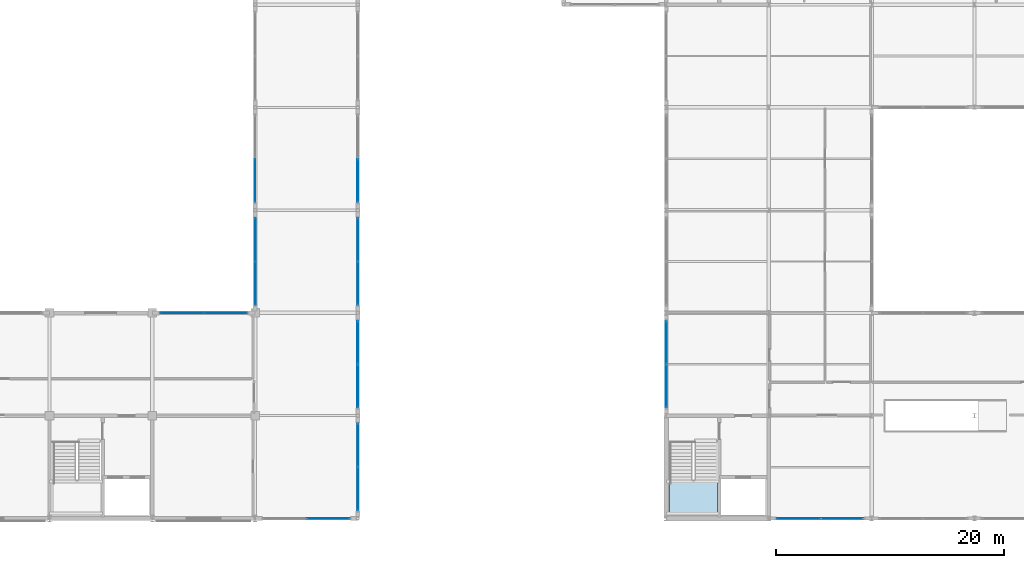
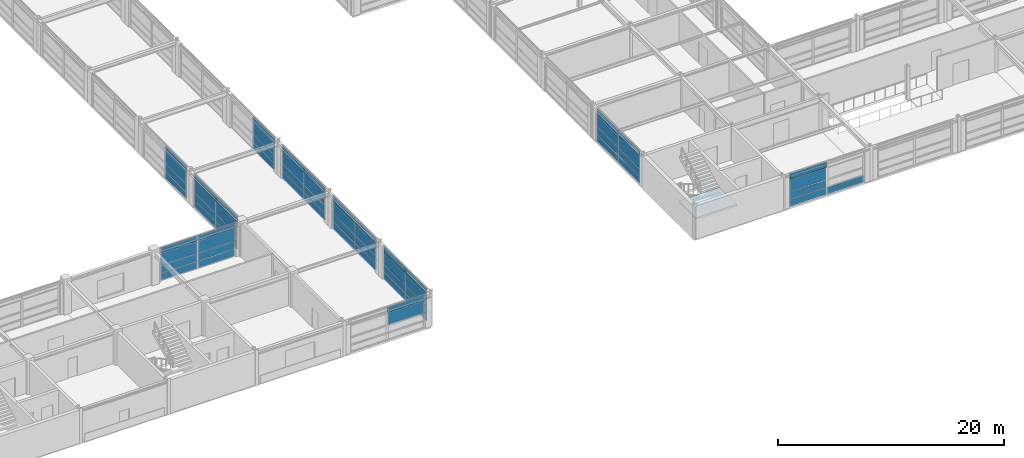
# One storey, part 51 of 79: 63 plates, 1 slab, 10 elements without a shape of their own.
"""IFC4 building model written with IfcOpenShell, lengths in metres."""

from ifc_helpers import new_model, si_unit, direction, frame, origin, origin_2d, place, context, subcontext, project, spatial, polyline, rectangle, outline, extrude, material, layer, layer_set, type_object, element, aggregate, save


model = new_model("IFC4")

# Units and contexts
model_context = context("Model", 3, precision=1e-05, world=origin(), true_north=direction((0.0, 1.0)))
body_context = subcontext(model_context, "Body", "Model", "MODEL_VIEW")
ifc_project = project(units=[si_unit("LENGTHUNIT", "METRE"), si_unit("AREAUNIT", "SQUARE_METRE"), si_unit("VOLUMEUNIT", "CUBIC_METRE"), si_unit("PLANEANGLEUNIT", "RADIAN"), si_unit("MASSUNIT", "GRAM", prefix="KILO")], contexts=[model_context])

# Site, building, storey
site_placement = place(None, origin())
site = spatial("IfcSite", under=ifc_project, at=site_placement, CompositionType="ELEMENT")
building_placement = place(site_placement, origin())
building = spatial("IfcBuilding", under=site, at=building_placement, Name="Palais des Congres Ocreval", CompositionType="ELEMENT")
storey_placement = place(building_placement, frame((0.0, 0.0, 4.320068359375)))
storey = spatial("IfcBuildingStorey", under=building, at=storey_placement, Name="L01", CompositionType="ELEMENT", Elevation=4.320068359375)

# Curtain wall, plates
ifc_material_1 = material(Name="Anodized bronze aluminium and low-E glass", Category="glass")
curtain_wall_type = type_object("IfcCurtainWallType", Name="Unitised Curtain Wall 7900x3660", PredefinedType="USERDEFINED", material=ifc_material_1)
curtain_wall_1_placement = place(storey_placement, origin())
curtain_wall_1 = element("IfcCurtainWall", 1, at=curtain_wall_1_placement, inside=storey, type_object=curtain_wall_type, Name="Unitised Curtain Wall CW02 L01", ObjectType="UNITISED CURTAIN WALL", PredefinedType="USERDEFINED")
ifc_material_2 = material(Name="Acoustic triple glazing", Category="glass")
ifc_layer_1 = layer(ifc_material_2, 0.0439453125)
ifc_layer_set_1 = layer_set([ifc_layer_1], Name="Acoustic Laminated Glazing Panel 44 (Acoustic triple glazing)")
plate_type_1 = type_object("IfcPlateType", Name="Acoustic Laminated Glazing Panel 44", PredefinedType="CURTAIN_PANEL", material=ifc_layer_set_1)
plate_1_placement = place(storey_placement, frame((123.40625, 0.0, 0.06005859375), z_axis=(0.0, 0.0, 1.0), x_axis=(-1.0, 0.0, 0.0)))
plate_1 = element("IfcPlate", 2, at=plate_1_placement, type_object=plate_type_1, Name="Vision Glazing Panel VP02", PredefinedType="CURTAIN_PANEL", context=body_context, shape_type="SweptSolid", body=[
    extrude(rectangle(XDim=3.737548828125, YDim=0.0439453125, at=origin_2d()), origin(), (0.0, 0.0, 1.0), 0.68994140625),
])
plate_2_placement = place(storey_placement, frame((119.59375, 0.0, 0.06005859375), z_axis=(0.0, 0.0, 1.0), x_axis=(-1.0, 0.0, 0.0)))
plate_2 = element("IfcPlate", 3, at=plate_2_placement, type_object=plate_type_1, Name="Vision Glazing Panel VP02", PredefinedType="CURTAIN_PANEL", context=body_context, shape_type="SweptSolid", body=[
    extrude(rectangle(XDim=3.737548828125, YDim=0.0439453125, at=origin_2d()), origin(), (0.0, 0.0, 1.0), 0.68994140625),
])
plate_3_placement = place(storey_placement, frame((119.59375, 0.0, 0.81005859375), z_axis=(0.0, 0.0, 1.0), x_axis=(-1.0, 0.0, 0.0)))
plate_3 = element("IfcPlate", 4, at=plate_3_placement, type_object=plate_type_1, Name="Vision Glazing Panel VP02", PredefinedType="CURTAIN_PANEL", context=body_context, shape_type="SweptSolid", body=[
    extrude(rectangle(XDim=3.737548828125, YDim=0.0439453125, at=origin_2d()), origin(), (0.0, 0.0, 1.0), 0.782470703125),
])
plate_4_placement = place(storey_placement, frame((119.59375, 0.0, 1.65234375), z_axis=(0.0, 0.0, 1.0), x_axis=(-1.0, 0.0, 0.0)))
plate_4 = element("IfcPlate", 5, at=plate_4_placement, type_object=plate_type_1, Name="Vision Glazing Panel VP02", PredefinedType="CURTAIN_PANEL", context=body_context, shape_type="SweptSolid", body=[
    extrude(rectangle(XDim=3.737548828125, YDim=0.0439453125, at=origin_2d()), origin(), (0.0, 0.0, 1.0), 1.267578125),
])

curtain_wall_2_placement = place(storey_placement, origin())
curtain_wall_2 = element("IfcCurtainWall", 6, at=curtain_wall_2_placement, inside=storey, type_object=curtain_wall_type, Name="Unitised Curtain Wall CW02 L01", ObjectType="UNITISED CURTAIN WALL", PredefinedType="USERDEFINED")
plate_5_placement = place(storey_placement, frame((81.0, 29.59375, 0.06005859375), z_axis=(0.0, 0.0, 1.0), x_axis=(0.0, -1.0, 0.0)))
plate_5 = element("IfcPlate", 7, at=plate_5_placement, type_object=plate_type_1, Name="Vision Glazing Panel VP02", PredefinedType="CURTAIN_PANEL", context=body_context, shape_type="SweptSolid", body=[
    extrude(rectangle(XDim=3.737548828125, YDim=0.0439453125, at=origin_2d()), origin(), (0.0, 0.0, 1.0), 0.68994140625),
])
plate_6_placement = place(storey_placement, frame((81.0, 29.59375, 0.81005859375), z_axis=(0.0, 0.0, 1.0), x_axis=(0.0, -1.0, 0.0)))
plate_6 = element("IfcPlate", 8, at=plate_6_placement, type_object=plate_type_1, Name="Vision Glazing Panel VP02", PredefinedType="CURTAIN_PANEL", context=body_context, shape_type="SweptSolid", body=[
    extrude(rectangle(XDim=3.737548828125, YDim=0.0439453125, at=origin_2d()), origin(), (0.0, 0.0, 1.0), 0.777099609375),
])
plate_7_placement = place(storey_placement, frame((81.0, 29.59375, 1.64697265625), z_axis=(0.0, 0.0, 1.0), x_axis=(0.0, -1.0, 0.0)))
plate_7 = element("IfcPlate", 9, at=plate_7_placement, type_object=plate_type_1, Name="Vision Glazing Panel VP02", PredefinedType="CURTAIN_PANEL", context=body_context, shape_type="SweptSolid", body=[
    extrude(rectangle(XDim=3.737548828125, YDim=0.0439453125, at=origin_2d()), origin(), (0.0, 0.0, 1.0), 1.262939453125),
])

curtain_wall_3_placement = place(storey_placement, origin())
curtain_wall_3 = element("IfcCurtainWall", 10, at=curtain_wall_3_placement, inside=storey, type_object=curtain_wall_type, Name="Unitised Curtain Wall CW02 L01", ObjectType="UNITISED CURTAIN WALL", PredefinedType="USERDEFINED")
plate_8_placement = place(storey_placement, frame((81.0, 6.40625, 0.06005859375), z_axis=(0.0, 0.0, 1.0), x_axis=(0.0, -1.0, 0.0)))
plate_8 = element("IfcPlate", 11, at=plate_8_placement, type_object=plate_type_1, Name="Vision Glazing Panel VP02", PredefinedType="CURTAIN_PANEL", context=body_context, shape_type="SweptSolid", body=[
    extrude(rectangle(XDim=3.737548828125, YDim=0.0439453125, at=origin_2d()), origin(), (0.0, 0.0, 1.0), 0.68994140625),
])
plate_9_placement = place(storey_placement, frame((81.0, 6.40625, 0.81005859375), z_axis=(0.0, 0.0, 1.0), x_axis=(0.0, -1.0, 0.0)))
plate_9 = element("IfcPlate", 12, at=plate_9_placement, type_object=plate_type_1, Name="Vision Glazing Panel VP02", PredefinedType="CURTAIN_PANEL", context=body_context, shape_type="SweptSolid", body=[
    extrude(rectangle(XDim=3.737548828125, YDim=0.0439453125, at=origin_2d()), origin(), (0.0, 0.0, 1.0), 0.777099609375),
])
plate_10_placement = place(storey_placement, frame((81.0, 6.40625, 1.64697265625), z_axis=(0.0, 0.0, 1.0), x_axis=(0.0, -1.0, 0.0)))
plate_10 = element("IfcPlate", 13, at=plate_10_placement, type_object=plate_type_1, Name="Vision Glazing Panel VP02", PredefinedType="CURTAIN_PANEL", context=body_context, shape_type="SweptSolid", body=[
    extrude(rectangle(XDim=3.737548828125, YDim=0.0439453125, at=origin_2d()), origin(), (0.0, 0.0, 1.0), 1.262939453125),
])
plate_11_placement = place(storey_placement, frame((81.0, 2.59375, 0.06005859375), z_axis=(0.0, 0.0, 1.0), x_axis=(0.0, -1.0, 0.0)))
plate_11 = element("IfcPlate", 14, at=plate_11_placement, type_object=plate_type_1, Name="Vision Glazing Panel VP02", PredefinedType="CURTAIN_PANEL", context=body_context, shape_type="SweptSolid", body=[
    extrude(rectangle(XDim=3.737548828125, YDim=0.0439453125, at=origin_2d()), origin(), (0.0, 0.0, 1.0), 0.68994140625),
])
plate_12_placement = place(storey_placement, frame((81.0, 2.59375, 0.81005859375), z_axis=(0.0, 0.0, 1.0), x_axis=(0.0, -1.0, 0.0)))
plate_12 = element("IfcPlate", 15, at=plate_12_placement, type_object=plate_type_1, Name="Vision Glazing Panel VP02", PredefinedType="CURTAIN_PANEL", context=body_context, shape_type="SweptSolid", body=[
    extrude(rectangle(XDim=3.737548828125, YDim=0.0439453125, at=origin_2d()), origin(), (0.0, 0.0, 1.0), 0.777099609375),
])
plate_13_placement = place(storey_placement, frame((81.0, 2.59375, 1.64697265625), z_axis=(0.0, 0.0, 1.0), x_axis=(0.0, -1.0, 0.0)))
plate_13 = element("IfcPlate", 16, at=plate_13_placement, type_object=plate_type_1, Name="Vision Glazing Panel VP02", PredefinedType="CURTAIN_PANEL", context=body_context, shape_type="SweptSolid", body=[
    extrude(rectangle(XDim=3.737548828125, YDim=0.0439453125, at=origin_2d()), origin(), (0.0, 0.0, 1.0), 1.262939453125),
])

curtain_wall_4_placement = place(storey_placement, origin())
curtain_wall_4 = element("IfcCurtainWall", 17, at=curtain_wall_4_placement, inside=storey, type_object=curtain_wall_type, Name="Unitised Curtain Wall CW02 L01", ObjectType="UNITISED CURTAIN WALL", PredefinedType="USERDEFINED")
plate_14_placement = place(storey_placement, frame((72.0, 20.59375, 0.06005859375), z_axis=(0.0, 0.0, 1.0), x_axis=(0.0, 1.0, 0.0)))
plate_14 = element("IfcPlate", 18, at=plate_14_placement, type_object=plate_type_1, Name="Vision Glazing Panel VP02", PredefinedType="CURTAIN_PANEL", context=body_context, shape_type="SweptSolid", body=[
    extrude(rectangle(XDim=3.737548828125, YDim=0.0439453125, at=origin_2d()), origin(), (0.0, 0.0, 1.0), 0.68994140625),
])
plate_15_placement = place(storey_placement, frame((72.0, 20.59375, 0.81005859375), z_axis=(0.0, 0.0, 1.0), x_axis=(0.0, 1.0, 0.0)))
plate_15 = element("IfcPlate", 19, at=plate_15_placement, type_object=plate_type_1, Name="Vision Glazing Panel VP02", PredefinedType="CURTAIN_PANEL", context=body_context, shape_type="SweptSolid", body=[
    extrude(rectangle(XDim=3.737548828125, YDim=0.0439453125, at=origin_2d()), origin(), (0.0, 0.0, 1.0), 0.777099609375),
])
plate_16_placement = place(storey_placement, frame((72.0, 20.59375, 1.64697265625), z_axis=(0.0, 0.0, 1.0), x_axis=(0.0, 1.0, 0.0)))
plate_16 = element("IfcPlate", 20, at=plate_16_placement, type_object=plate_type_1, Name="Vision Glazing Panel VP02", PredefinedType="CURTAIN_PANEL", context=body_context, shape_type="SweptSolid", body=[
    extrude(rectangle(XDim=3.737548828125, YDim=0.0439453125, at=origin_2d()), origin(), (0.0, 0.0, 1.0), 1.262939453125),
])
plate_17_placement = place(storey_placement, frame((72.0, 24.40625, 0.06005859375), z_axis=(0.0, 0.0, 1.0), x_axis=(0.0, 1.0, 0.0)))
plate_17 = element("IfcPlate", 21, at=plate_17_placement, type_object=plate_type_1, Name="Vision Glazing Panel VP02", PredefinedType="CURTAIN_PANEL", context=body_context, shape_type="SweptSolid", body=[
    extrude(rectangle(XDim=3.737548828125, YDim=0.0439453125, at=origin_2d()), origin(), (0.0, 0.0, 1.0), 0.68994140625),
])
plate_18_placement = place(storey_placement, frame((72.0, 24.40625, 0.81005859375), z_axis=(0.0, 0.0, 1.0), x_axis=(0.0, 1.0, 0.0)))
plate_18 = element("IfcPlate", 22, at=plate_18_placement, type_object=plate_type_1, Name="Vision Glazing Panel VP02", PredefinedType="CURTAIN_PANEL", context=body_context, shape_type="SweptSolid", body=[
    extrude(rectangle(XDim=3.737548828125, YDim=0.0439453125, at=origin_2d()), origin(), (0.0, 0.0, 1.0), 0.777099609375),
])
plate_19_placement = place(storey_placement, frame((72.0, 24.40625, 1.64697265625), z_axis=(0.0, 0.0, 1.0), x_axis=(0.0, 1.0, 0.0)))
plate_19 = element("IfcPlate", 23, at=plate_19_placement, type_object=plate_type_1, Name="Vision Glazing Panel VP02", PredefinedType="CURTAIN_PANEL", context=body_context, shape_type="SweptSolid", body=[
    extrude(rectangle(XDim=3.737548828125, YDim=0.0439453125, at=origin_2d()), origin(), (0.0, 0.0, 1.0), 1.262939453125),
])

curtain_wall_5_placement = place(storey_placement, origin())
curtain_wall_5 = element("IfcCurtainWall", 24, at=curtain_wall_5_placement, inside=storey, type_object=curtain_wall_type, Name="Unitised Curtain Wall CW02 L01", ObjectType="UNITISED CURTAIN WALL", PredefinedType="USERDEFINED")
ifc_material_3 = material(Name="Anodized bronze aluminium", Category="aluminium")
ifc_layer_2 = layer(ifc_material_3, 0.06005859375)
ifc_layer_set_2 = layer_set([ifc_layer_2], Name="Anodized Bronze Spandrel Cassette 60 (Anodized bronze aluminium)")
plate_type_2 = type_object("IfcPlateType", Name="Anodized Bronze Spandrel Cassette 60", PredefinedType="SHEET", material=ifc_layer_set_2)
plate_20_placement = place(storey_placement, frame((108.0, 11.59375, 2.97998046875), z_axis=(0.0, 0.0, 1.0), x_axis=(0.0, 1.0, 0.0)))
plate_20 = element("IfcPlate", 25, at=plate_20_placement, type_object=plate_type_2, Name="Spandrel Sheet SPN1", PredefinedType="SHEET", context=body_context, shape_type="SweptSolid", body=[
    extrude(rectangle(XDim=3.737548828125, YDim=0.06005859375, at=origin_2d()), origin(), (0.0, 0.0, 1.0), 0.56005859375),
])
plate_21_placement = place(storey_placement, frame((108.0, 15.40625, 2.97998046875), z_axis=(0.0, 0.0, 1.0), x_axis=(0.0, 1.0, 0.0)))
plate_21 = element("IfcPlate", 26, at=plate_21_placement, type_object=plate_type_2, Name="Spandrel Sheet SPN1", PredefinedType="SHEET", context=body_context, shape_type="SweptSolid", body=[
    extrude(rectangle(XDim=3.737548828125, YDim=0.06005859375, at=origin_2d()), origin(), (0.0, 0.0, 1.0), 0.56005859375),
])

# Plate
plate_22_placement = place(storey_placement, frame((81.0, 29.59375, 2.969970703125), z_axis=(0.0, 0.0, 1.0), x_axis=(0.0, -1.0, 0.0)))
plate_22 = element("IfcPlate", 27, at=plate_22_placement, type_object=plate_type_2, Name="Spandrel Sheet SPN1", PredefinedType="SHEET", context=body_context, shape_type="SweptSolid", body=[
    extrude(rectangle(XDim=3.737548828125, YDim=0.06005859375, at=origin_2d()), origin(), (0.0, 0.0, 1.0), 0.56005859375),
])

aggregate(curtain_wall_2, [plate_5, plate_6, plate_7, plate_22])

# Curtain wall, plates
curtain_wall_6_placement = place(storey_placement, origin())
curtain_wall_6 = element("IfcCurtainWall", 28, at=curtain_wall_6_placement, inside=storey, type_object=curtain_wall_type, Name="Unitised Curtain Wall CW02 L01", ObjectType="UNITISED CURTAIN WALL", PredefinedType="USERDEFINED")
plate_23_placement = place(storey_placement, frame((81.0, 15.40625, 2.969970703125), z_axis=(0.0, 0.0, 1.0), x_axis=(0.0, -1.0, 0.0)))
plate_23 = element("IfcPlate", 29, at=plate_23_placement, type_object=plate_type_2, Name="Spandrel Sheet SPN1", PredefinedType="SHEET", context=body_context, shape_type="SweptSolid", body=[
    extrude(rectangle(XDim=3.737548828125, YDim=0.06005859375, at=origin_2d()), origin(), (0.0, 0.0, 1.0), 0.56005859375),
])
plate_24_placement = place(storey_placement, frame((81.0, 11.59375, 2.969970703125), z_axis=(0.0, 0.0, 1.0), x_axis=(0.0, -1.0, 0.0)))
plate_24 = element("IfcPlate", 30, at=plate_24_placement, type_object=plate_type_2, Name="Spandrel Sheet SPN1", PredefinedType="SHEET", context=body_context, shape_type="SweptSolid", body=[
    extrude(rectangle(XDim=3.737548828125, YDim=0.06005859375, at=origin_2d()), origin(), (0.0, 0.0, 1.0), 0.56005859375),
])

# Curtain wall, plate
curtain_wall_7_placement = place(storey_placement, origin())
curtain_wall_7 = element("IfcCurtainWall", 31, at=curtain_wall_7_placement, inside=storey, type_object=curtain_wall_type, Name="Unitised Curtain Wall CW02 L01", ObjectType="UNITISED CURTAIN WALL", PredefinedType="USERDEFINED")
plate_25_placement = place(storey_placement, frame((78.40625, 0.0, 2.969970703125), z_axis=(0.0, 0.0, 1.0), x_axis=(-1.0, 0.0, 0.0)))
plate_25 = element("IfcPlate", 32, at=plate_25_placement, type_object=plate_type_2, Name="Spandrel Sheet SPN1", PredefinedType="SHEET", context=body_context, shape_type="SweptSolid", body=[
    extrude(rectangle(XDim=3.737548828125, YDim=0.06005859375, at=origin_2d()), origin(), (0.0, 0.0, 1.0), 0.56005859375),
])

# Curtain wall, plates
curtain_wall_8_placement = place(storey_placement, origin())
curtain_wall_8 = element("IfcCurtainWall", 33, at=curtain_wall_8_placement, inside=storey, type_object=curtain_wall_type, Name="Unitised Curtain Wall CW02 L01", ObjectType="UNITISED CURTAIN WALL", PredefinedType="USERDEFINED")
plate_26_placement = place(storey_placement, frame((65.59375, 18.0, 2.97998046875), z_axis=(0.0, 0.0, 1.0), x_axis=(1.0, 0.0, 0.0)))
plate_26 = element("IfcPlate", 34, at=plate_26_placement, type_object=plate_type_2, Name="Spandrel Sheet SPN1", PredefinedType="SHEET", context=body_context, shape_type="SweptSolid", body=[
    extrude(rectangle(XDim=3.737548828125, YDim=0.06005859375, at=origin_2d()), origin(), (0.0, 0.0, 1.0), 0.56005859375),
])
plate_27_placement = place(storey_placement, frame((69.40625, 18.0, 2.97998046875), z_axis=(0.0, 0.0, 1.0), x_axis=(1.0, 0.0, 0.0)))
plate_27 = element("IfcPlate", 35, at=plate_27_placement, type_object=plate_type_2, Name="Spandrel Sheet SPN1", PredefinedType="SHEET", context=body_context, shape_type="SweptSolid", body=[
    extrude(rectangle(XDim=3.737548828125, YDim=0.06005859375, at=origin_2d()), origin(), (0.0, 0.0, 1.0), 0.56005859375),
])

# Curtain wall, plate
curtain_wall_9_placement = place(storey_placement, origin())
curtain_wall_9 = element("IfcCurtainWall", 36, at=curtain_wall_9_placement, inside=storey, type_object=curtain_wall_type, Name="Unitised Curtain Wall CW02 L01", ObjectType="UNITISED CURTAIN WALL", PredefinedType="USERDEFINED")
plate_28_placement = place(storey_placement, frame((72.0, 29.59375, 2.969970703125), z_axis=(0.0, 0.0, 1.0), x_axis=(0.0, 1.0, 0.0)))
plate_28 = element("IfcPlate", 37, at=plate_28_placement, type_object=plate_type_2, Name="Spandrel Sheet SPN1", PredefinedType="SHEET", context=body_context, shape_type="SweptSolid", body=[
    extrude(rectangle(XDim=3.737548828125, YDim=0.06005859375, at=origin_2d()), origin(), (0.0, 0.0, 1.0), 0.56005859375),
])

# Plate
ifc_material_4 = material(Name="Low-E solar-control double glazing", Category="glass")
ifc_layer_3 = layer(ifc_material_4, 0.031982421875)
ifc_layer_set_3 = layer_set([ifc_layer_3], Name="Galleria Clear Vision Panel 32 (Low-E solar-control double glazing)")
plate_type_3 = type_object("IfcPlateType", Name="Galleria Clear Vision Panel 32", PredefinedType="CURTAIN_PANEL", material=ifc_layer_set_3)
plate_29_placement = place(storey_placement, frame((108.0, 11.59375, 0.06005859375), z_axis=(0.0, 0.0, 1.0), x_axis=(0.0, 1.0, 0.0)))
plate_29 = element("IfcPlate", 38, at=plate_29_placement, type_object=plate_type_3, Name="Vision Glazing Panel VP03", PredefinedType="CURTAIN_PANEL", context=body_context, shape_type="SweptSolid", body=[
    extrude(rectangle(XDim=3.737548828125, YDim=0.031982421875, at=origin_2d()), origin(), (0.0, 0.0, 1.0), 0.68994140625),
])

plate_30_placement = place(storey_placement, frame((108.0, 11.59375, 0.81005859375), z_axis=(0.0, 0.0, 1.0), x_axis=(0.0, 1.0, 0.0)))
plate_30 = element("IfcPlate", 39, at=plate_30_placement, type_object=plate_type_3, Name="Vision Glazing Panel VP03", PredefinedType="CURTAIN_PANEL", context=body_context, shape_type="SweptSolid", body=[
    extrude(rectangle(XDim=3.737548828125, YDim=0.031982421875, at=origin_2d()), origin(), (0.0, 0.0, 1.0), 0.782470703125),
])

plate_31_placement = place(storey_placement, frame((108.0, 11.59375, 1.65234375), z_axis=(0.0, 0.0, 1.0), x_axis=(0.0, 1.0, 0.0)))
plate_31 = element("IfcPlate", 40, at=plate_31_placement, type_object=plate_type_3, Name="Vision Glazing Panel VP03", PredefinedType="CURTAIN_PANEL", context=body_context, shape_type="SweptSolid", body=[
    extrude(rectangle(XDim=3.737548828125, YDim=0.031982421875, at=origin_2d()), origin(), (0.0, 0.0, 1.0), 1.267578125),
])

plate_32_placement = place(storey_placement, frame((108.0, 15.40625, 0.06005859375), z_axis=(0.0, 0.0, 1.0), x_axis=(0.0, 1.0, 0.0)))
plate_32 = element("IfcPlate", 41, at=plate_32_placement, type_object=plate_type_3, Name="Vision Glazing Panel VP03", PredefinedType="CURTAIN_PANEL", context=body_context, shape_type="SweptSolid", body=[
    extrude(rectangle(XDim=3.737548828125, YDim=0.031982421875, at=origin_2d()), origin(), (0.0, 0.0, 1.0), 0.68994140625),
])

plate_33_placement = place(storey_placement, frame((108.0, 15.40625, 0.81005859375), z_axis=(0.0, 0.0, 1.0), x_axis=(0.0, 1.0, 0.0)))
plate_33 = element("IfcPlate", 42, at=plate_33_placement, type_object=plate_type_3, Name="Vision Glazing Panel VP03", PredefinedType="CURTAIN_PANEL", context=body_context, shape_type="SweptSolid", body=[
    extrude(rectangle(XDim=3.737548828125, YDim=0.031982421875, at=origin_2d()), origin(), (0.0, 0.0, 1.0), 0.782470703125),
])

plate_34_placement = place(storey_placement, frame((108.0, 15.40625, 1.65234375), z_axis=(0.0, 0.0, 1.0), x_axis=(0.0, 1.0, 0.0)))
plate_34 = element("IfcPlate", 43, at=plate_34_placement, type_object=plate_type_3, Name="Vision Glazing Panel VP03", PredefinedType="CURTAIN_PANEL", context=body_context, shape_type="SweptSolid", body=[
    extrude(rectangle(XDim=3.737548828125, YDim=0.031982421875, at=origin_2d()), origin(), (0.0, 0.0, 1.0), 1.267578125),
])

aggregate(curtain_wall_5, [plate_29, plate_30, plate_31, plate_20, plate_32, plate_33, plate_34, plate_21])

# Curtain wall, plates
curtain_wall_10_placement = place(storey_placement, origin())
curtain_wall_10 = element("IfcCurtainWall", 44, at=curtain_wall_10_placement, inside=storey, type_object=curtain_wall_type, Name="Unitised Curtain Wall CW02 L01", ObjectType="UNITISED CURTAIN WALL", PredefinedType="USERDEFINED")
plate_35_placement = place(storey_placement, frame((81.0, 24.40625, 0.06005859375), z_axis=(0.0, 0.0, 1.0), x_axis=(0.0, -1.0, 0.0)))
plate_35 = element("IfcPlate", 45, at=plate_35_placement, type_object=plate_type_3, Name="Vision Glazing Panel VP03", PredefinedType="CURTAIN_PANEL", context=body_context, shape_type="SweptSolid", body=[
    extrude(rectangle(XDim=3.737548828125, YDim=0.031982421875, at=origin_2d()), origin(), (0.0, 0.0, 1.0), 0.68994140625),
])
plate_36_placement = place(storey_placement, frame((81.0, 24.40625, 0.81005859375), z_axis=(0.0, 0.0, 1.0), x_axis=(0.0, -1.0, 0.0)))
plate_36 = element("IfcPlate", 46, at=plate_36_placement, type_object=plate_type_3, Name="Vision Glazing Panel VP03", PredefinedType="CURTAIN_PANEL", context=body_context, shape_type="SweptSolid", body=[
    extrude(rectangle(XDim=3.737548828125, YDim=0.031982421875, at=origin_2d()), origin(), (0.0, 0.0, 1.0), 0.777099609375),
])
plate_37_placement = place(storey_placement, frame((81.0, 24.40625, 1.64697265625), z_axis=(0.0, 0.0, 1.0), x_axis=(0.0, -1.0, 0.0)))
plate_37 = element("IfcPlate", 47, at=plate_37_placement, type_object=plate_type_3, Name="Vision Glazing Panel VP03", PredefinedType="CURTAIN_PANEL", context=body_context, shape_type="SweptSolid", body=[
    extrude(rectangle(XDim=3.737548828125, YDim=0.031982421875, at=origin_2d()), origin(), (0.0, 0.0, 1.0), 1.262939453125),
])
plate_38_placement = place(storey_placement, frame((81.0, 20.59375, 0.06005859375), z_axis=(0.0, 0.0, 1.0), x_axis=(0.0, -1.0, 0.0)))
plate_38 = element("IfcPlate", 48, at=plate_38_placement, type_object=plate_type_3, Name="Vision Glazing Panel VP03", PredefinedType="CURTAIN_PANEL", context=body_context, shape_type="SweptSolid", body=[
    extrude(rectangle(XDim=3.737548828125, YDim=0.031982421875, at=origin_2d()), origin(), (0.0, 0.0, 1.0), 0.68994140625),
])
plate_39_placement = place(storey_placement, frame((81.0, 20.59375, 0.81005859375), z_axis=(0.0, 0.0, 1.0), x_axis=(0.0, -1.0, 0.0)))
plate_39 = element("IfcPlate", 49, at=plate_39_placement, type_object=plate_type_3, Name="Vision Glazing Panel VP03", PredefinedType="CURTAIN_PANEL", context=body_context, shape_type="SweptSolid", body=[
    extrude(rectangle(XDim=3.737548828125, YDim=0.031982421875, at=origin_2d()), origin(), (0.0, 0.0, 1.0), 0.777099609375),
])
plate_40_placement = place(storey_placement, frame((81.0, 20.59375, 1.64697265625), z_axis=(0.0, 0.0, 1.0), x_axis=(0.0, -1.0, 0.0)))
plate_40 = element("IfcPlate", 50, at=plate_40_placement, type_object=plate_type_3, Name="Vision Glazing Panel VP03", PredefinedType="CURTAIN_PANEL", context=body_context, shape_type="SweptSolid", body=[
    extrude(rectangle(XDim=3.737548828125, YDim=0.031982421875, at=origin_2d()), origin(), (0.0, 0.0, 1.0), 1.262939453125),
])

# Plate
plate_41_placement = place(storey_placement, frame((78.40625, 0.0, 1.64697265625), z_axis=(0.0, 0.0, 1.0), x_axis=(-1.0, 0.0, 0.0)))
plate_41 = element("IfcPlate", 51, at=plate_41_placement, type_object=plate_type_3, Name="Vision Glazing Panel VP03", PredefinedType="CURTAIN_PANEL", context=body_context, shape_type="SweptSolid", body=[
    extrude(rectangle(XDim=3.737548828125, YDim=0.031982421875, at=origin_2d()), origin(), (0.0, 0.0, 1.0), 1.262939453125),
])

aggregate(curtain_wall_7, [plate_41, plate_25])

plate_42_placement = place(storey_placement, frame((72.0, 29.59375, 0.06005859375), z_axis=(0.0, 0.0, 1.0), x_axis=(0.0, 1.0, 0.0)))
plate_42 = element("IfcPlate", 52, at=plate_42_placement, type_object=plate_type_3, Name="Vision Glazing Panel VP03", PredefinedType="CURTAIN_PANEL", context=body_context, shape_type="SweptSolid", body=[
    extrude(rectangle(XDim=3.737548828125, YDim=0.031982421875, at=origin_2d()), origin(), (0.0, 0.0, 1.0), 0.68994140625),
])

plate_43_placement = place(storey_placement, frame((72.0, 29.59375, 0.81005859375), z_axis=(0.0, 0.0, 1.0), x_axis=(0.0, 1.0, 0.0)))
plate_43 = element("IfcPlate", 53, at=plate_43_placement, type_object=plate_type_3, Name="Vision Glazing Panel VP03", PredefinedType="CURTAIN_PANEL", context=body_context, shape_type="SweptSolid", body=[
    extrude(rectangle(XDim=3.737548828125, YDim=0.031982421875, at=origin_2d()), origin(), (0.0, 0.0, 1.0), 0.777099609375),
])

plate_44_placement = place(storey_placement, frame((72.0, 29.59375, 1.64697265625), z_axis=(0.0, 0.0, 1.0), x_axis=(0.0, 1.0, 0.0)))
plate_44 = element("IfcPlate", 54, at=plate_44_placement, type_object=plate_type_3, Name="Vision Glazing Panel VP03", PredefinedType="CURTAIN_PANEL", context=body_context, shape_type="SweptSolid", body=[
    extrude(rectangle(XDim=3.737548828125, YDim=0.031982421875, at=origin_2d()), origin(), (0.0, 0.0, 1.0), 1.262939453125),
])

aggregate(curtain_wall_9, [plate_42, plate_43, plate_44, plate_28])

ifc_layer_4 = layer(ifc_material_4, 0.035888671875)
ifc_layer_set_4 = layer_set([ifc_layer_4], Name="Low-E Vision Glazing Panel 36 (Low-E solar-control double glazing)")
plate_type_4 = type_object("IfcPlateType", Name="Low-E Vision Glazing Panel 36", PredefinedType="CURTAIN_PANEL", material=ifc_layer_set_4)
plate_45_placement = place(storey_placement, frame((81.0, 15.40625, 0.06005859375), z_axis=(0.0, 0.0, 1.0), x_axis=(0.0, -1.0, 0.0)))
plate_45 = element("IfcPlate", 55, at=plate_45_placement, type_object=plate_type_4, Name="Vision Glazing Panel VP01", PredefinedType="CURTAIN_PANEL", context=body_context, shape_type="SweptSolid", body=[
    extrude(rectangle(XDim=3.737548828125, YDim=0.035888671875, at=origin_2d()), origin(), (0.0, 0.0, 1.0), 0.68994140625),
])

plate_46_placement = place(storey_placement, frame((81.0, 15.40625, 0.81005859375), z_axis=(0.0, 0.0, 1.0), x_axis=(0.0, -1.0, 0.0)))
plate_46 = element("IfcPlate", 56, at=plate_46_placement, type_object=plate_type_4, Name="Vision Glazing Panel VP01", PredefinedType="CURTAIN_PANEL", context=body_context, shape_type="SweptSolid", body=[
    extrude(rectangle(XDim=3.737548828125, YDim=0.035888671875, at=origin_2d()), origin(), (0.0, 0.0, 1.0), 0.777099609375),
])

plate_47_placement = place(storey_placement, frame((81.0, 15.40625, 1.64697265625), z_axis=(0.0, 0.0, 1.0), x_axis=(0.0, -1.0, 0.0)))
plate_47 = element("IfcPlate", 57, at=plate_47_placement, type_object=plate_type_4, Name="Vision Glazing Panel VP01", PredefinedType="CURTAIN_PANEL", context=body_context, shape_type="SweptSolid", body=[
    extrude(rectangle(XDim=3.737548828125, YDim=0.035888671875, at=origin_2d()), origin(), (0.0, 0.0, 1.0), 1.262939453125),
])

plate_48_placement = place(storey_placement, frame((81.0, 11.59375, 0.06005859375), z_axis=(0.0, 0.0, 1.0), x_axis=(0.0, -1.0, 0.0)))
plate_48 = element("IfcPlate", 58, at=plate_48_placement, type_object=plate_type_4, Name="Vision Glazing Panel VP01", PredefinedType="CURTAIN_PANEL", context=body_context, shape_type="SweptSolid", body=[
    extrude(rectangle(XDim=3.737548828125, YDim=0.035888671875, at=origin_2d()), origin(), (0.0, 0.0, 1.0), 0.68994140625),
])

plate_49_placement = place(storey_placement, frame((81.0, 11.59375, 0.81005859375), z_axis=(0.0, 0.0, 1.0), x_axis=(0.0, -1.0, 0.0)))
plate_49 = element("IfcPlate", 59, at=plate_49_placement, type_object=plate_type_4, Name="Vision Glazing Panel VP01", PredefinedType="CURTAIN_PANEL", context=body_context, shape_type="SweptSolid", body=[
    extrude(rectangle(XDim=3.737548828125, YDim=0.035888671875, at=origin_2d()), origin(), (0.0, 0.0, 1.0), 0.777099609375),
])

plate_50_placement = place(storey_placement, frame((81.0, 11.59375, 1.64697265625), z_axis=(0.0, 0.0, 1.0), x_axis=(0.0, -1.0, 0.0)))
plate_50 = element("IfcPlate", 60, at=plate_50_placement, type_object=plate_type_4, Name="Vision Glazing Panel VP01", PredefinedType="CURTAIN_PANEL", context=body_context, shape_type="SweptSolid", body=[
    extrude(rectangle(XDim=3.737548828125, YDim=0.035888671875, at=origin_2d()), origin(), (0.0, 0.0, 1.0), 1.262939453125),
])

aggregate(curtain_wall_6, [plate_45, plate_46, plate_47, plate_23, plate_48, plate_49, plate_50, plate_24])

plate_51_placement = place(storey_placement, frame((65.59375, 18.0, 0.06005859375), z_axis=(0.0, 0.0, 1.0), x_axis=(1.0, 0.0, 0.0)))
plate_51 = element("IfcPlate", 61, at=plate_51_placement, type_object=plate_type_4, Name="Vision Glazing Panel VP01", PredefinedType="CURTAIN_PANEL", context=body_context, shape_type="SweptSolid", body=[
    extrude(rectangle(XDim=3.737548828125, YDim=0.035888671875, at=origin_2d()), origin(), (0.0, 0.0, 1.0), 0.68994140625),
])

plate_52_placement = place(storey_placement, frame((65.59375, 18.0, 0.81005859375), z_axis=(0.0, 0.0, 1.0), x_axis=(1.0, 0.0, 0.0)))
plate_52 = element("IfcPlate", 62, at=plate_52_placement, type_object=plate_type_4, Name="Vision Glazing Panel VP01", PredefinedType="CURTAIN_PANEL", context=body_context, shape_type="SweptSolid", body=[
    extrude(rectangle(XDim=3.737548828125, YDim=0.035888671875, at=origin_2d()), origin(), (0.0, 0.0, 1.0), 0.782470703125),
])

plate_53_placement = place(storey_placement, frame((65.59375, 18.0, 1.65234375), z_axis=(0.0, 0.0, 1.0), x_axis=(1.0, 0.0, 0.0)))
plate_53 = element("IfcPlate", 63, at=plate_53_placement, type_object=plate_type_4, Name="Vision Glazing Panel VP01", PredefinedType="CURTAIN_PANEL", context=body_context, shape_type="SweptSolid", body=[
    extrude(rectangle(XDim=3.737548828125, YDim=0.035888671875, at=origin_2d()), origin(), (0.0, 0.0, 1.0), 1.267578125),
])

plate_54_placement = place(storey_placement, frame((69.40625, 18.0, 0.06005859375), z_axis=(0.0, 0.0, 1.0), x_axis=(1.0, 0.0, 0.0)))
plate_54 = element("IfcPlate", 64, at=plate_54_placement, type_object=plate_type_4, Name="Vision Glazing Panel VP01", PredefinedType="CURTAIN_PANEL", context=body_context, shape_type="SweptSolid", body=[
    extrude(rectangle(XDim=3.737548828125, YDim=0.035888671875, at=origin_2d()), origin(), (0.0, 0.0, 1.0), 0.68994140625),
])

plate_55_placement = place(storey_placement, frame((69.40625, 18.0, 0.81005859375), z_axis=(0.0, 0.0, 1.0), x_axis=(1.0, 0.0, 0.0)))
plate_55 = element("IfcPlate", 65, at=plate_55_placement, type_object=plate_type_4, Name="Vision Glazing Panel VP01", PredefinedType="CURTAIN_PANEL", context=body_context, shape_type="SweptSolid", body=[
    extrude(rectangle(XDim=3.737548828125, YDim=0.035888671875, at=origin_2d()), origin(), (0.0, 0.0, 1.0), 0.782470703125),
])

plate_56_placement = place(storey_placement, frame((69.40625, 18.0, 1.65234375), z_axis=(0.0, 0.0, 1.0), x_axis=(1.0, 0.0, 0.0)))
plate_56 = element("IfcPlate", 66, at=plate_56_placement, type_object=plate_type_4, Name="Vision Glazing Panel VP01", PredefinedType="CURTAIN_PANEL", context=body_context, shape_type="SweptSolid", body=[
    extrude(rectangle(XDim=3.737548828125, YDim=0.035888671875, at=origin_2d()), origin(), (0.0, 0.0, 1.0), 1.267578125),
])

aggregate(curtain_wall_8, [plate_51, plate_52, plate_53, plate_26, plate_54, plate_55, plate_56, plate_27])

# Slab
ifc_material_5 = material(Name="Concrete C40/50", Category="concrete")
ifc_layer_5 = layer(ifc_material_5, 0.199951171875)
ifc_layer_set_5 = layer_set([ifc_layer_5], Name="Stair and Ramp Landing Slab 200 Concrete C40/50")
slab_type = type_object("IfcSlabType", Name="Stair and Ramp Landing Slab 200 Concrete C40/50", PredefinedType="LANDING", material=ifc_layer_set_5)
slab_placement = place(storey_placement, frame((0.0, 0.0, 1.719970703125)))
element("IfcSlab", 67, at=slab_placement, inside=storey, type_object=slab_type, Name="Stair Half-Landing ST09 L01", PredefinedType="LANDING", context=body_context, shape_type="SweptSolid", body=[
    extrude(outline(polyline([(108.300048828125, 0.300048828125), (112.5, 0.300048828125), (112.5, 3.35009765625), (108.300048828125, 3.35009765625), (108.300048828125, 0.300048828125)])), origin(), (0.0, 0.0, 1.0), 0.199951171875),
])

# Plate
ifc_material_6 = material(Name="Terracotta ceramic spandrel", Category="masonry")
ifc_layer_6 = layer(ifc_material_6, 0.080078125)
ifc_layer_set_6 = layer_set([ifc_layer_6], Name="Terracotta Insulated Spandrel Sheet 80 (Terracotta ceramic spandrel)")
plate_type_5 = type_object("IfcPlateType", Name="Terracotta Insulated Spandrel Sheet 80", PredefinedType="SHEET", material=ifc_layer_set_6)
plate_57_placement = place(storey_placement, frame((119.59375, 0.0, 2.97998046875), z_axis=(0.0, 0.0, 1.0), x_axis=(-1.0, 0.0, 0.0)))
plate_57 = element("IfcPlate", 68, at=plate_57_placement, type_object=plate_type_5, Name="Spandrel Sheet SPN2", PredefinedType="SHEET", context=body_context, shape_type="SweptSolid", body=[
    extrude(rectangle(XDim=3.737548828125, YDim=0.080078125, at=origin_2d()), origin(), (0.0, 0.0, 1.0), 0.56005859375),
])

aggregate(curtain_wall_1, [plate_1, plate_2, plate_3, plate_4, plate_57])

plate_58_placement = place(storey_placement, frame((81.0, 24.40625, 2.969970703125), z_axis=(0.0, 0.0, 1.0), x_axis=(0.0, -1.0, 0.0)))
plate_58 = element("IfcPlate", 69, at=plate_58_placement, type_object=plate_type_5, Name="Spandrel Sheet SPN2", PredefinedType="SHEET", context=body_context, shape_type="SweptSolid", body=[
    extrude(rectangle(XDim=3.737548828125, YDim=0.080078125, at=origin_2d()), origin(), (0.0, 0.0, 1.0), 0.56005859375),
])

plate_59_placement = place(storey_placement, frame((81.0, 20.59375, 2.969970703125), z_axis=(0.0, 0.0, 1.0), x_axis=(0.0, -1.0, 0.0)))
plate_59 = element("IfcPlate", 70, at=plate_59_placement, type_object=plate_type_5, Name="Spandrel Sheet SPN2", PredefinedType="SHEET", context=body_context, shape_type="SweptSolid", body=[
    extrude(rectangle(XDim=3.737548828125, YDim=0.080078125, at=origin_2d()), origin(), (0.0, 0.0, 1.0), 0.56005859375),
])

aggregate(curtain_wall_10, [plate_35, plate_36, plate_37, plate_58, plate_38, plate_39, plate_40, plate_59])

plate_60_placement = place(storey_placement, frame((81.0, 6.40625, 2.969970703125), z_axis=(0.0, 0.0, 1.0), x_axis=(0.0, -1.0, 0.0)))
plate_60 = element("IfcPlate", 71, at=plate_60_placement, type_object=plate_type_5, Name="Spandrel Sheet SPN2", PredefinedType="SHEET", context=body_context, shape_type="SweptSolid", body=[
    extrude(rectangle(XDim=3.737548828125, YDim=0.080078125, at=origin_2d()), origin(), (0.0, 0.0, 1.0), 0.56005859375),
])

plate_61_placement = place(storey_placement, frame((81.0, 2.59375, 2.969970703125), z_axis=(0.0, 0.0, 1.0), x_axis=(0.0, -1.0, 0.0)))
plate_61 = element("IfcPlate", 72, at=plate_61_placement, type_object=plate_type_5, Name="Spandrel Sheet SPN2", PredefinedType="SHEET", context=body_context, shape_type="SweptSolid", body=[
    extrude(rectangle(XDim=3.737548828125, YDim=0.080078125, at=origin_2d()), origin(), (0.0, 0.0, 1.0), 0.56005859375),
])

aggregate(curtain_wall_3, [plate_8, plate_9, plate_10, plate_60, plate_11, plate_12, plate_13, plate_61])

plate_62_placement = place(storey_placement, frame((72.0, 20.59375, 2.969970703125), z_axis=(0.0, 0.0, 1.0), x_axis=(0.0, 1.0, 0.0)))
plate_62 = element("IfcPlate", 73, at=plate_62_placement, type_object=plate_type_5, Name="Spandrel Sheet SPN2", PredefinedType="SHEET", context=body_context, shape_type="SweptSolid", body=[
    extrude(rectangle(XDim=3.737548828125, YDim=0.080078125, at=origin_2d()), origin(), (0.0, 0.0, 1.0), 0.56005859375),
])

plate_63_placement = place(storey_placement, frame((72.0, 24.40625, 2.969970703125), z_axis=(0.0, 0.0, 1.0), x_axis=(0.0, 1.0, 0.0)))
plate_63 = element("IfcPlate", 74, at=plate_63_placement, type_object=plate_type_5, Name="Spandrel Sheet SPN2", PredefinedType="SHEET", context=body_context, shape_type="SweptSolid", body=[
    extrude(rectangle(XDim=3.737548828125, YDim=0.080078125, at=origin_2d()), origin(), (0.0, 0.0, 1.0), 0.56005859375),
])

aggregate(curtain_wall_4, [plate_14, plate_15, plate_16, plate_62, plate_17, plate_18, plate_19, plate_63])

save(model, "model.ifc")
